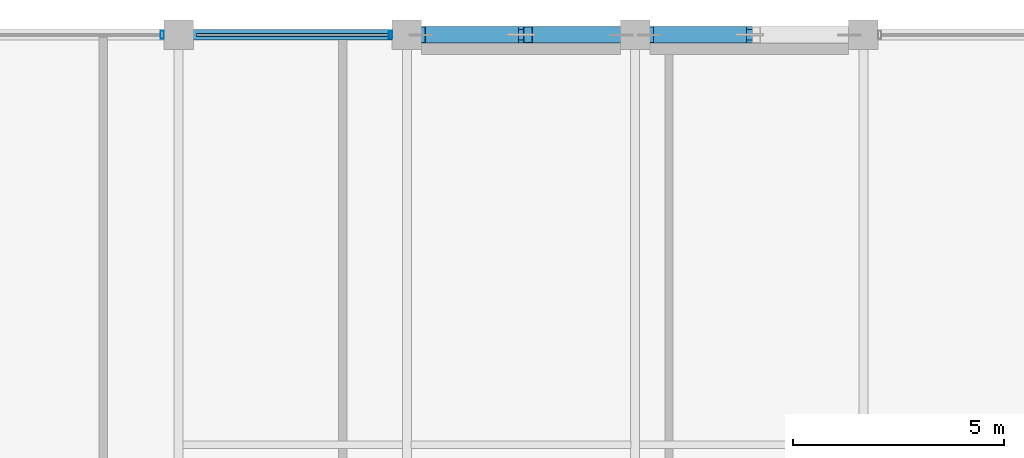
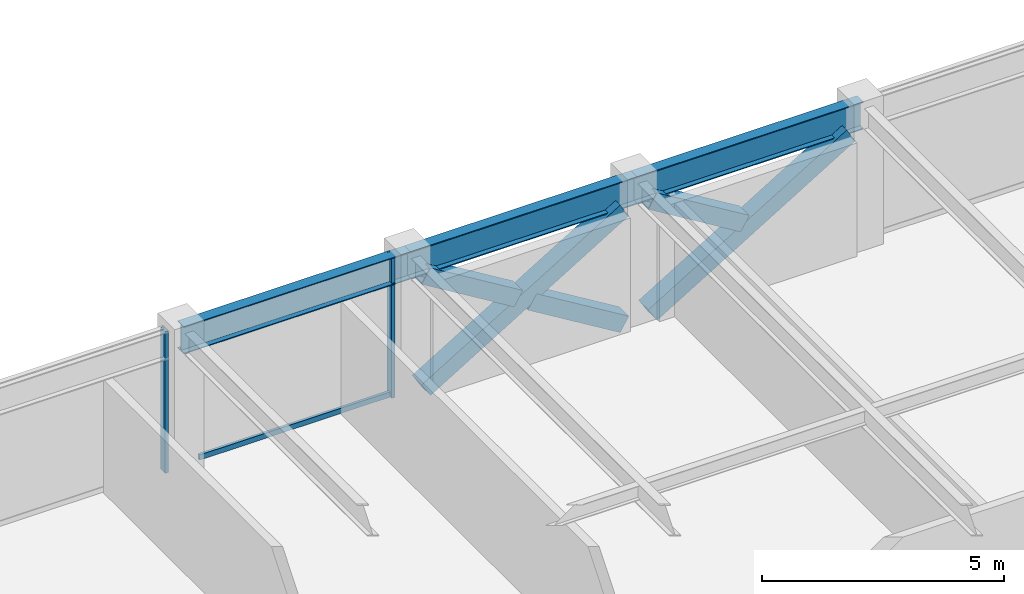
# One storey, part 16 of 29: 8 members, 3 beams, 1 element without a shape of its own.
"""IFC4 building model written with IfcOpenShell, lengths in metres."""

import ifcopenshell
import ifcopenshell.guid

model = None  # the IFC model being written
_history = None  # IfcOwnerHistory: only IFC2X3 demands one
_inside = {}  # id of a spatial element -> (the spatial element, [elements in it])
_under = {}  # id of a project, library or spatial element -> (it, [spatial elements below it])
_declared = {}  # id of a project -> (the project, [libraries it declares])
_typed = {}  # id of a type object -> (the type object, [elements of that type])
_made_of = {}  # id of a material, layer set ... -> (it, [elements and type objects made of it])


def new_model(schema):
    """Start an empty IFC model of exactly this schema.

    Asked for "IFC4X3", IfcOpenShell would pick the latest addendum, in which some entities
    have other attributes; the version numbers below select the first issue.
    IFC2X3 requires an IfcOwnerHistory on every rooted entity: one is made here for all.
    """
    global model, _history
    if schema == "IFC4X3":
        model = ifcopenshell.file(schema_version=(4, 3, 0, 0))
    else:
        model = ifcopenshell.file(schema=schema)
    _inside.clear()
    _under.clear()
    _declared.clear()
    _typed.clear()
    _made_of.clear()
    _history = None
    if model.schema == "IFC2X3":
        org = make("IfcOrganization", Name="unknown")
        user = make(
            "IfcPersonAndOrganization",
            ThePerson=make("IfcPerson", FamilyName="unknown"),
            TheOrganization=org,
        )
        app = make(
            "IfcApplication",
            ApplicationDeveloper=org,
            Version="unknown",
            ApplicationFullName="unknown",
            ApplicationIdentifier="unknown",
        )
        _history = make(
            "IfcOwnerHistory",
            OwningUser=user,
            OwningApplication=app,
            ChangeAction="ADDED",
            CreationDate=0,
        )
    return model


def make(cls, **values):
    """One entity of the class cls with the attributes given. An attribute that is None is left unset."""
    return model.create_entity(
        cls, **{name: value for name, value in values.items() if value is not None}
    )


def rooted(cls, **values):
    """An entity with a GlobalId (a new one), such as an element, a storey or a relation."""
    return make(cls, GlobalId=ifcopenshell.guid.new(), OwnerHistory=_history, **values)


def si_unit(unit_type, name, prefix=None):
    """IfcSIUnit, for example si_unit("LENGTHUNIT", "METRE", prefix="MILLI")."""
    return make("IfcSIUnit", UnitType=unit_type, Prefix=prefix, Name=name)


def assignment(units):
    """IfcUnitAssignment: the units of a project."""
    return None if units is None else make("IfcUnitAssignment", Units=units)


def point(xyz):
    """IfcCartesianPoint."""
    return None if xyz is None else make("IfcCartesianPoint", Coordinates=xyz)


def direction(xyz):
    """IfcDirection."""
    return None if xyz is None else make("IfcDirection", DirectionRatios=xyz)


def frame(location, z_axis=None, x_axis=None):
    """IfcAxis2Placement3D, a coordinate frame: its origin and axes. An axis left out is left unset."""
    return make(
        "IfcAxis2Placement3D",
        Location=point(location),
        Axis=direction(z_axis),
        RefDirection=direction(x_axis),
    )


def frame_2d(location, x_axis=None):
    """IfcAxis2Placement2D, a coordinate frame in the plane: its origin and x axis."""
    return make(
        "IfcAxis2Placement2D", Location=point(location), RefDirection=direction(x_axis)
    )


def origin():
    """The frame at (0, 0, 0) with its axes left unset."""
    return frame((0.0, 0.0, 0.0))


def origin_2d():
    """The frame at (0, 0) in the plane with its x axis left unset."""
    return frame_2d((0.0, 0.0))


def place(relative_to, where):
    """IfcLocalPlacement: puts the frame where relative to a parent placement (None: the world)."""
    return make(
        "IfcLocalPlacement", PlacementRelTo=relative_to, RelativePlacement=where
    )


def context(
    kind, dimensions, precision=None, world=None, true_north=None, identifier=None
):
    """IfcGeometricRepresentationContext, for example the 3D "Model" context."""
    return make(
        "IfcGeometricRepresentationContext",
        ContextIdentifier=identifier,
        ContextType=kind,
        CoordinateSpaceDimension=dimensions,
        Precision=precision,
        WorldCoordinateSystem=world,
        TrueNorth=true_north,
    )


def subcontext(parent, identifier, kind, view, scale=None):
    """IfcGeometricRepresentationSubContext, for example "Body" below "Model"."""
    return make(
        "IfcGeometricRepresentationSubContext",
        ContextIdentifier=identifier,
        ContextType=kind,
        ParentContext=parent,
        TargetScale=scale,
        TargetView=view,
    )


def project(units=None, contexts=None):
    """IfcProject with its units and contexts."""
    return rooted(
        "IfcProject",
        Name="project",
        RepresentationContexts=contexts,
        UnitsInContext=assignment(units),
    )


def spatial(cls, under=None, at=None, **own):
    """A site, building, storey or space (cls), placed at a placement, below another one or the project."""
    s = rooted(cls, ObjectPlacement=at, **own)
    if under is not None:
        _under.setdefault(under.id(), (under, []))[1].append(s)
    return s


def profile(cls, at=None, kind="AREA", **sizes):
    """A parametric profile (cls). Its sizes go by their IFC names, for example OverallWidth=200.0."""
    return make(cls, ProfileType=kind, Position=at, **sizes)


def hollow_rectangle(**sizes):
    """IfcRectangleHollowProfileDef."""
    return profile("IfcRectangleHollowProfileDef", **sizes)


def i_section(**sizes):
    """IfcIShapeProfileDef."""
    return profile("IfcIShapeProfileDef", **sizes)


def extrude(swept, where, along, depth):
    """IfcExtrudedAreaSolid: the profile swept, set in the frame where, extruded along a direction by depth."""
    return make(
        "IfcExtrudedAreaSolid",
        SweptArea=swept,
        Position=where,
        ExtrudedDirection=direction(along),
        Depth=depth,
    )


def shape(context_of_items, identifier, shape_type, items):
    """IfcShapeRepresentation: the items that make up one representation, for example the "Body"."""
    return make(
        "IfcShapeRepresentation",
        ContextOfItems=context_of_items,
        RepresentationIdentifier=identifier,
        RepresentationType=shape_type,
        Items=items,
    )


def material(Name=None, Category=None):
    """IfcMaterial."""
    return make("IfcMaterial", Name=Name, Category=Category)


def layer(
    of_material, thickness, ventilated=None, Name=None, Category=None, Priority=None
):
    """IfcMaterialLayer: one layer of a wall or slab, of a material (None: an air gap)."""
    return make(
        "IfcMaterialLayer",
        Material=of_material,
        LayerThickness=thickness,
        IsVentilated=ventilated,
        Name=Name,
        Category=Category,
        Priority=Priority,
    )


def layer_set(layers, Name=None):
    """IfcMaterialLayerSet."""
    return make("IfcMaterialLayerSet", MaterialLayers=layers, LayerSetName=Name)


def material_profile(
    of_material, cross_section, Name=None, Category=None, Priority=None
):
    """IfcMaterialProfile: a cross section and its material."""
    return make(
        "IfcMaterialProfile",
        Name=Name,
        Material=of_material,
        Profile=cross_section,
        Priority=Priority,
        Category=Category,
    )


def profile_set(profiles, Name=None, composite=None):
    """IfcMaterialProfileSet."""
    return make(
        "IfcMaterialProfileSet",
        Name=Name,
        MaterialProfiles=profiles,
        CompositeProfile=composite,
    )


def made_of(thing, what):
    """Note that an element or type object is made of a material, layer set ...; save() writes the relation."""
    if what is not None:
        _made_of.setdefault(what.id(), (what, []))[1].append(thing)
    return thing


def type_object(cls, material=None, **own):
    """A type object (cls), such as IfcWallType, which elements share."""
    return made_of(rooted(cls, **own), material)


def element(
    cls,
    number,
    at=None,
    inside=None,
    cuts=None,
    type_object=None,
    material=None,
    context=None,
    identifier="Body",
    shape_type=None,
    held_by="IfcProductDefinitionShape",
    body=None,
    shapes=None,
    **own,
):
    """One element of the class cls, such as IfcWall. Its Tag is "e" and its number.

    at: its placement. inside: the storey or other place that contains it. cuts: it is an
    opening in that element (IfcRelVoidsElement). A single representation is given by context,
    identifier, shape_type and body (its items); several are given by shapes. held_by: the class
    of the entity that holds the representations. save() writes the other relations.
    """
    e = rooted(cls, Tag="e%d" % number, ObjectPlacement=at, **own)
    if body is not None:
        shapes = [shape(context, identifier, shape_type, body)]
    if shapes is not None:
        e.Representation = make(held_by, Representations=shapes)
    if inside is not None:
        _inside.setdefault(inside.id(), (inside, []))[1].append(e)
    if cuts is not None:
        rooted(
            "IfcRelVoidsElement", RelatingBuildingElement=cuts, RelatedOpeningElement=e
        )
    if type_object is not None:
        _typed.setdefault(type_object.id(), (type_object, []))[1].append(e)
    return made_of(e, material)


def aggregate(whole, parts):
    """IfcRelAggregates: a whole, such as a stair, and the parts it consists of."""
    return rooted("IfcRelAggregates", RelatingObject=whole, RelatedObjects=parts)


def save(model, path):
    """Write the relations noted so far, then the file.

    IfcRelAggregates (storeys below a building ...), IfcRelContainedInSpatialStructure (elements
    in a storey), IfcRelDefinesByType, IfcRelAssociatesMaterial and IfcRelDeclares: one each for
    every whole, place, type object, material and project.
    """
    for whole, parts in _under.values():
        aggregate(whole, parts)
    for where, things in _inside.values():
        rooted(
            "IfcRelContainedInSpatialStructure",
            RelatedElements=things,
            RelatingStructure=where,
        )
    for kind, things in _typed.values():
        rooted("IfcRelDefinesByType", RelatedObjects=things, RelatingType=kind)
    for what, things in _made_of.values():
        rooted("IfcRelAssociatesMaterial", RelatedObjects=things, RelatingMaterial=what)
    for by, libraries in _declared.values():
        rooted("IfcRelDeclares", RelatingContext=by, RelatedDefinitions=libraries)
    model.write(path)


model = new_model("IFC4")

# Units and contexts
model_context = context("Model", 3, precision=1e-05, world=origin(), true_north=direction((0.0, 1.0)))
body_context = subcontext(model_context, "Body", "Model", "MODEL_VIEW")
ifc_project = project(units=[si_unit("LENGTHUNIT", "METRE"), si_unit("AREAUNIT", "SQUARE_METRE"), si_unit("VOLUMEUNIT", "CUBIC_METRE"), si_unit("PLANEANGLEUNIT", "RADIAN"), si_unit("MASSUNIT", "GRAM", prefix="KILO")], contexts=[model_context])

# Site, building, storey
site_placement = place(None, origin())
site = spatial("IfcSite", under=ifc_project, at=site_placement, CompositionType="ELEMENT")
building_placement = place(site_placement, origin())
building = spatial("IfcBuilding", under=site, at=building_placement, Name="Surkhivell Harbour Commons", CompositionType="ELEMENT")
storey_placement = place(building_placement, frame((0.0, 0.0, 273.75)))
storey = spatial("IfcBuildingStorey", under=building, at=storey_placement, Name="L71", CompositionType="ELEMENT", Elevation=273.75)

# Beams
ifc_material_1 = material(Name="Steel S355", Category="steel")
ifc_material_profile_1 = material_profile(ifc_material_1, i_section(OverallWidth=0.256103515625, OverallDepth=0.693115234375, WebThickness=0.014404296875, FlangeThickness=0.023681640625, at=origin_2d()), Name="UB686x254x170")
ifc_profile_set_1 = profile_set([ifc_material_profile_1], Name="Steel S355")
beam_type = type_object("IfcBeamType", Name="BM-SPN-686", PredefinedType="SPANDREL", material=ifc_profile_set_1)
beam_placement = place(storey_placement, frame((-10.800048828125, 25.89990234375, 3.223388671875), z_axis=(1.0, 0.0, 0.0), x_axis=(0.0, 1.0, 0.0)))
element("IfcBeam", 1, at=beam_placement, inside=storey, type_object=beam_type, Name="L71 Tube Spandrel (-10.8,25.9)", PredefinedType="SPANDREL", context=body_context, shape_type="SweptSolid", body=[
    extrude(i_section(OverallWidth=0.256103515625, OverallDepth=0.693115234375, WebThickness=0.014404296875, FlangeThickness=0.023681640625, at=origin_2d()), origin(), (0.0, 0.0, 1.0), 5.400146484375),
])
for number, where, z_axis, x_axis, name in (
    (2, (-5.39990234375, 25.89990234375, 3.223388671875), (1.0, 0.0, 0.0), (0.0, 1.0, 0.0), "L71 Tube Spandrel (-5.4,25.9)"),
    (3, (0.0, 25.89990234375, 3.223388671875), (1.0, 0.0, 0.0), (0.0, 1.0, 0.0), "L71 Tube Spandrel (-0.0,25.9)"),
):
    element("IfcBeam", number, at=place(storey_placement, frame(where, z_axis=z_axis, x_axis=x_axis)), inside=storey, type_object=beam_type, Name=name, PredefinedType="SPANDREL", context=body_context, shape_type="SweptSolid", body=[
        extrude(i_section(OverallWidth=0.256103515625, OverallDepth=0.693115234375, WebThickness=0.014404296875, FlangeThickness=0.023681640625, at=origin_2d()), origin(), (0.0, 0.0, 1.0), 5.39990234375),
    ])

# Curtain wall, members
ifc_material_2 = material(Name="Anodised pale-metal aluminium and insulated glazing", Category="aluminium")
ifc_layer = layer(ifc_material_2, 0.175048828125)
ifc_layer_set = layer_set([ifc_layer], Name="Anodised pale-metal aluminium and insulated glazing")
curtain_wall_type = type_object("IfcCurtainWallType", Name="CW-SYS-Z4", PredefinedType="NOTDEFINED", material=ifc_layer_set)
curtain_wall_placement = place(storey_placement, origin())
curtain_wall = element("IfcCurtainWall", 4, at=curtain_wall_placement, inside=storey, type_object=curtain_wall_type, Name="L71 Curtain Wall CW-L71-E07S2", PredefinedType="NOTDEFINED")
ifc_material_3 = material(Name="Anodised pale-metal aluminium alloy 6063-T6", Category="aluminium")
ifc_material_profile_2 = material_profile(ifc_material_3, hollow_rectangle(XDim=0.074951171875, YDim=0.18994140625, WallThickness=0.00390625, at=origin_2d()), Name="ALU-MULL-75x190")
ifc_profile_set_2 = profile_set([ifc_material_profile_2], Name="Anodised pale-metal aluminium alloy 6063-T6")
member_type_1 = type_object("IfcMemberType", Name="CWM-190", PredefinedType="MULLION", material=ifc_profile_set_2)
member_1_placement = place(storey_placement, frame((-5.78955078125, 25.89990234375, 0.0), z_axis=(0.0, 0.0, 1.0), x_axis=(-1.0, 0.0, 0.0)))
member_1 = element("IfcMember", 5, at=member_1_placement, type_object=member_type_1, Name="CW-Z4 mullion 1", PredefinedType="MULLION", context=body_context, shape_type="SweptSolid", body=[
    extrude(hollow_rectangle(XDim=0.074951171875, YDim=0.18994140625, WallThickness=0.00390625, at=origin_2d()), origin(), (0.0, 0.0, 1.0), 3.570068359375),
])
member_2_placement = place(storey_placement, frame((-11.189453125, 25.89990234375, 0.0), z_axis=(0.0, 0.0, 1.0), x_axis=(-1.0, 0.0, 0.0)))
member_2 = element("IfcMember", 6, at=member_2_placement, type_object=member_type_1, Name="CW-Z4 mullion 2", PredefinedType="MULLION", context=body_context, shape_type="SweptSolid", body=[
    extrude(hollow_rectangle(XDim=0.074951171875, YDim=0.18994140625, WallThickness=0.00390625, at=origin_2d()), origin(), (0.0, 0.0, 1.0), 3.570068359375),
])
ifc_material_4 = material(Name="Champagne anodised aluminium alloy 6063-T6", Category="aluminium")
ifc_material_profile_3 = material_profile(ifc_material_4, hollow_rectangle(XDim=0.070068359375, YDim=0.1298828125, WallThickness=0.00341796875, at=origin_2d()), Name="ALU-TRAN-70x130")
ifc_profile_set_3 = profile_set([ifc_material_profile_3], Name="Champagne anodised aluminium alloy 6063-T6")
member_type_2 = type_object("IfcMemberType", Name="CWT-130", PredefinedType="USERDEFINED", material=ifc_profile_set_3)
member_3_placement = place(storey_placement, frame((-5.826904296875, 25.89990234375, 0.06494140625), z_axis=(-1.0, 0.0, 0.0), x_axis=(0.0, -1.0, 0.0)))
member_3 = element("IfcMember", 7, at=member_3_placement, type_object=member_type_2, Name="CW-Z4 transom 1.1", ObjectType="TRANSOM", PredefinedType="USERDEFINED", context=body_context, shape_type="SweptSolid", body=[
    extrude(hollow_rectangle(XDim=0.070068359375, YDim=0.1298828125, WallThickness=0.00341796875, at=origin_2d()), origin(), (0.0, 0.0, 1.0), 4.546142578125),
])
aggregate(curtain_wall, [member_1, member_3, member_2])

# Members
ifc_material_5 = material(Name="Steel S460", Category="steel")
ifc_material_profile_4 = material_profile(ifc_material_5, hollow_rectangle(XDim=0.39990234375, YDim=0.39990234375, WallThickness=0.02001953125, at=origin_2d()), Name="SHS400x400x20")
ifc_profile_set_4 = profile_set([ifc_material_profile_4], Name="Steel S460")
member_type_3 = type_object("IfcMemberType", Name="MEM-BRC-SHS400", PredefinedType="BRACE", material=ifc_profile_set_4)
member_4_placement = place(storey_placement, frame((-5.06494140625, 25.89990234375, 0.008056640625), z_axis=(0.854685454322, 0.0, 0.519146197299), x_axis=(0.0, 1.0, 0.0)))
element("IfcMember", 8, at=member_4_placement, inside=storey, type_object=member_type_3, Name="L71 Perimeter Mega-Brace MB- 01", PredefinedType="BRACE", context=body_context, shape_type="SweptSolid", body=[
    extrude(hollow_rectangle(XDim=0.39990234375, YDim=0.39990234375, WallThickness=0.02001953125, at=origin_2d()), origin(), (0.0, 0.0, 1.0), 5.5341796875),
])
member_5_placement = place(storey_placement, frame((-0.3349609375, 25.89990234375, 0.008056640625), z_axis=(-0.854719912157, 0.0, 0.519089464122), x_axis=(0.0, -1.0, 0.0)))
element("IfcMember", 9, at=member_5_placement, inside=storey, type_object=member_type_3, Name="L71 Perimeter Mega-Brace MB- 02", PredefinedType="BRACE", context=body_context, shape_type="SweptSolid", body=[
    extrude(hollow_rectangle(XDim=0.39990234375, YDim=0.39990234375, WallThickness=0.02001953125, at=origin_2d()), origin(), (0.0, 0.0, 1.0), 2.574951171875),
])
member_6_placement = place(storey_placement, frame((-2.864013671875, 25.89990234375, 1.544189453125), z_axis=(-0.854677846108, 0.0, 0.519158722716), x_axis=(0.0, -1.0, 0.0)))
element("IfcMember", 10, at=member_6_placement, inside=storey, type_object=member_type_3, Name="L71 Perimeter Mega-Brace MB- 03", PredefinedType="BRACE", context=body_context, shape_type="SweptSolid", body=[
    extrude(hollow_rectangle(XDim=0.39990234375, YDim=0.39990234375, WallThickness=0.02001953125, at=origin_2d()), origin(), (0.0, 0.0, 1.0), 2.5751953125),
])
member_7_placement = place(storey_placement, frame((0.3349609375, 25.89990234375, 0.008056640625), z_axis=(0.854685454322, 0.0, 0.519146197299), x_axis=(0.0, 1.0, 0.0)))
element("IfcMember", 11, at=member_7_placement, inside=storey, type_object=member_type_3, Name="L71 Perimeter Mega-Brace MB- 04", PredefinedType="BRACE", context=body_context, shape_type="SweptSolid", body=[
    extrude(hollow_rectangle(XDim=0.39990234375, YDim=0.39990234375, WallThickness=0.02001953125, at=origin_2d()), origin(), (0.0, 0.0, 1.0), 5.5341796875),
])
member_8_placement = place(storey_placement, frame((2.535888671875, 25.89990234375, 1.544189453125), z_axis=(-0.854677846108, 0.0, 0.519158722716), x_axis=(0.0, -1.0, 0.0)))
element("IfcMember", 12, at=member_8_placement, inside=storey, type_object=member_type_3, Name="L71 Perimeter Mega-Brace MB- 06", PredefinedType="BRACE", context=body_context, shape_type="SweptSolid", body=[
    extrude(hollow_rectangle(XDim=0.39990234375, YDim=0.39990234375, WallThickness=0.02001953125, at=origin_2d()), origin(), (0.0, 0.0, 1.0), 2.5751953125),
])

save(model, "model.ifc")
